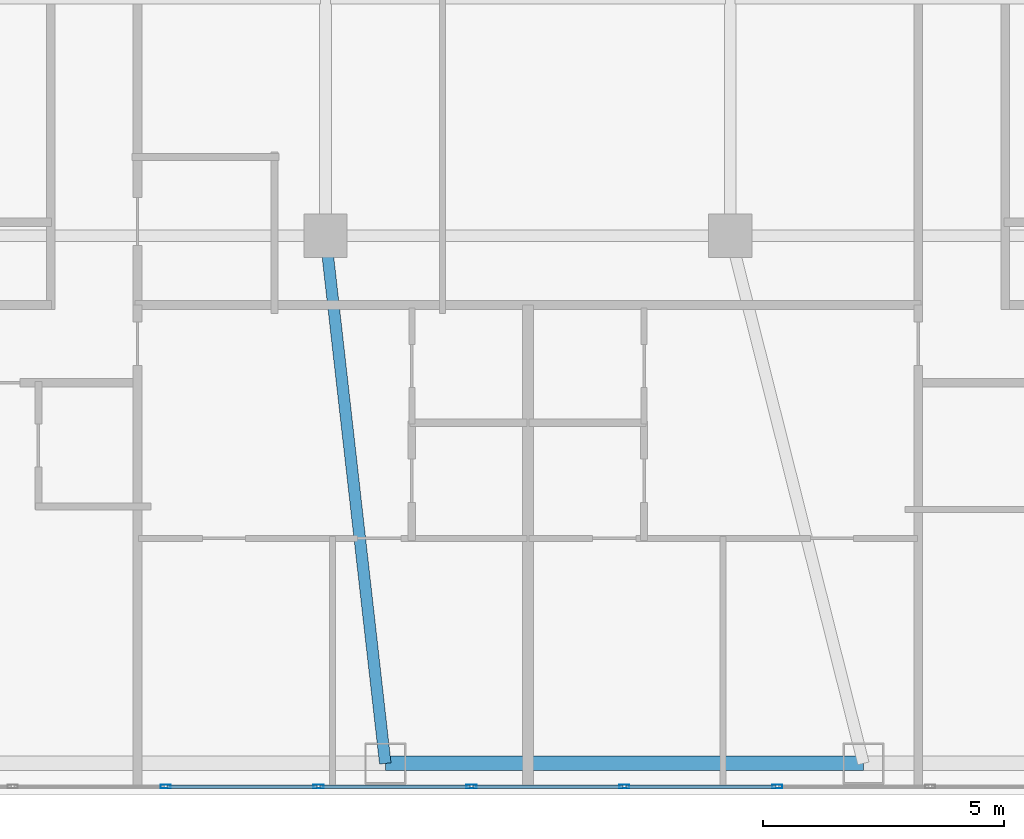
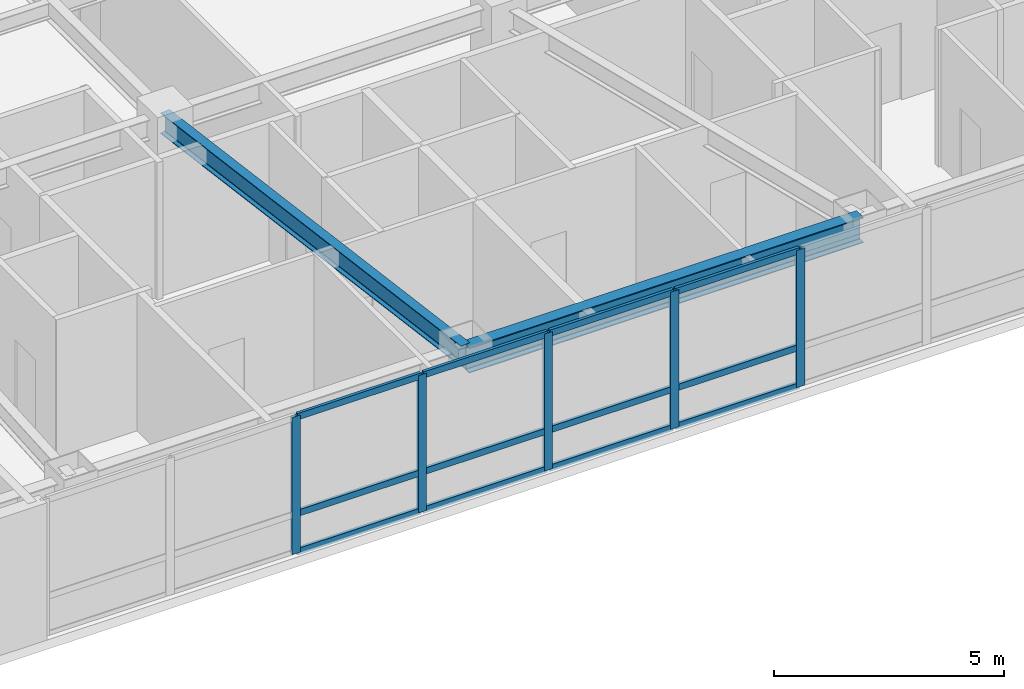
# One storey, part 4 of 17: 17 members, 2 beams, 1 element without a shape of its own.
"""IFC4 building model written with IfcOpenShell, lengths in metres."""

from ifc_helpers import new_model, si_unit, direction, frame, origin, origin_2d, place, context, subcontext, project, spatial, hollow_rectangle, i_section, extrude, material, layer, layer_set, material_profile, profile_set, type_object, element, aggregate, save


model = new_model("IFC4")

# Units and contexts
model_context = context("Model", 3, precision=1e-05, world=origin(), true_north=direction((0.0, 1.0)))
body_context = subcontext(model_context, "Body", "Model", "MODEL_VIEW")
ifc_project = project(units=[si_unit("LENGTHUNIT", "METRE"), si_unit("AREAUNIT", "SQUARE_METRE"), si_unit("VOLUMEUNIT", "CUBIC_METRE"), si_unit("PLANEANGLEUNIT", "RADIAN"), si_unit("MASSUNIT", "GRAM", prefix="KILO")], contexts=[model_context])

# Site, building, storey
site_placement = place(None, origin())
site = spatial("IfcSite", under=ifc_project, at=site_placement, CompositionType="ELEMENT")
building_placement = place(site_placement, origin())
building = spatial("IfcBuilding", under=site, at=building_placement, Name="Voryun Gate Residences", CompositionType="ELEMENT")
storey_placement = place(building_placement, frame((0.0, 0.0, 204.10009765625)))
storey = spatial("IfcBuildingStorey", under=building, at=storey_placement, Name="L50", CompositionType="ELEMENT", Elevation=204.10009765625)

# Beams
ifc_material_1 = material(Name="Steel SM355", Category="steel")
ifc_material_profile_1 = material_profile(ifc_material_1, i_section(OverallWidth=0.300048828125, OverallDepth=0.679931640625, WebThickness=0.013916015625, FlangeThickness=0.02490234375, FilletRadius=0.01806640625, at=origin_2d()), Name="H-680x300x14x25")
ifc_profile_set_1 = profile_set([ifc_material_profile_1], Name="Steel SM355")
beam_type_1 = type_object("IfcBeamType", Name="BM_EXO_SPANDREL_M", PredefinedType="SPANDREL", material=ifc_profile_set_1)
beam_1_placement = place(storey_placement, frame((-2.9599609375, -18.35009765625, 3.309814453125), z_axis=(1.0, 0.0, 0.0), x_axis=(0.0, 1.0, 0.0)))
element("IfcBeam", 1, at=beam_1_placement, inside=storey, type_object=beam_type_1, Name="BM-L50-SPAND-03", PredefinedType="SPANDREL", context=body_context, shape_type="SweptSolid", body=[
    extrude(i_section(OverallWidth=0.300048828125, OverallDepth=0.679931640625, WebThickness=0.013916015625, FlangeThickness=0.02490234375, FilletRadius=0.01806640625, at=origin_2d()), origin(), (0.0, 0.0, 1.0), 9.919921875),
])
ifc_material_2 = material(Name="Steel SM355", Category="steel")
ifc_material_profile_2 = material_profile(ifc_material_2, i_section(OverallWidth=0.239990234375, OverallDepth=0.550048828125, WebThickness=0.011962890625, FlangeThickness=0.02001953125, FilletRadius=0.01806640625, at=origin_2d()), Name="H-550x240x12x20")
ifc_profile_set_2 = profile_set([ifc_material_profile_2], Name="Steel SM355")
beam_type_2 = type_object("IfcBeamType", Name="BM_GIRD_550", PredefinedType="USERDEFINED", material=ifc_profile_set_2)
beam_2_placement = place(storey_placement, frame((-4.199951171875, -7.39990234375, 3.375), z_axis=(0.112519968476, -0.993649463691, 0.0), x_axis=(0.993649463691, 0.112519968476, 0.0)))
element("IfcBeam", 2, at=beam_2_placement, inside=storey, type_object=beam_type_2, Name="BM-L50-RAD-S3", ObjectType="GIRDER", PredefinedType="USERDEFINED", context=body_context, shape_type="SweptSolid", body=[
    extrude(i_section(OverallWidth=0.239990234375, OverallDepth=0.550048828125, WebThickness=0.011962890625, FlangeThickness=0.02001953125, FilletRadius=0.01806640625, at=origin_2d()), origin(), (0.0, 0.0, 1.0), 11.020263671875),
])

# Curtain wall, members
ifc_material_3 = material(Name="Anodised aluminium", Category="aluminium")
ifc_layer = layer(ifc_material_3, 0.2099609375, Name="CW_SYS_SKYGARDEN_DARK_GLASS")
ifc_layer_set = layer_set([ifc_layer], Name="Anodised aluminium")
curtain_wall_type = type_object("IfcCurtainWallType", Name="CW_SYS_SKYGARDEN_DARK_GLASS", PredefinedType="NOTDEFINED", material=ifc_layer_set)
curtain_wall_placement = place(storey_placement, origin())
curtain_wall = element("IfcCurtainWall", 3, at=curtain_wall_placement, inside=storey, type_object=curtain_wall_type, Name="Curtain wall CW5-L50-SG-01", PredefinedType="NOTDEFINED")
ifc_material_4 = material(Name="Anodised aluminium", Category="aluminium")
ifc_material_profile_3 = material_profile(ifc_material_4, hollow_rectangle(XDim=0.074951171875, YDim=0.2099609375, WallThickness=0.0048828125, at=origin_2d()), Name="ALU-MULL-210x75x5")
ifc_profile_set_3 = profile_set([ifc_material_profile_3], Name="Anodised aluminium")
member_type_1 = type_object("IfcMemberType", Name="CW_MULL_SKY", PredefinedType="MULLION", material=ifc_profile_set_3)
member_1_placement = place(storey_placement, frame((5.17236328125, -18.830078125, 0.0), z_axis=(0.0, 0.0, 1.0), x_axis=(0.0, -1.0, 0.0)))
member_1 = element("IfcMember", 4, at=member_1_placement, type_object=member_type_1, Name="CW5 mullion 5", PredefinedType="MULLION", context=body_context, shape_type="SweptSolid", body=[
    extrude(hollow_rectangle(XDim=0.074951171875, YDim=0.2099609375, WallThickness=0.0048828125, at=origin_2d()), origin(), (0.0, 0.0, 1.0), 3.64990234375),
])
member_2_placement = place(storey_placement, frame((2.0, -18.830078125, 0.0), z_axis=(0.0, 0.0, 1.0), x_axis=(0.0, -1.0, 0.0)))
member_2 = element("IfcMember", 5, at=member_2_placement, type_object=member_type_1, Name="CW5 mullion 6", PredefinedType="MULLION", context=body_context, shape_type="SweptSolid", body=[
    extrude(hollow_rectangle(XDim=0.074951171875, YDim=0.2099609375, WallThickness=0.0048828125, at=origin_2d()), origin(), (0.0, 0.0, 1.0), 3.64990234375),
])
member_3_placement = place(storey_placement, frame((-1.17236328125, -18.830078125, 0.0), z_axis=(0.0, 0.0, 1.0), x_axis=(0.0, -1.0, 0.0)))
member_3 = element("IfcMember", 6, at=member_3_placement, type_object=member_type_1, Name="CW5 mullion 7", PredefinedType="MULLION", context=body_context, shape_type="SweptSolid", body=[
    extrude(hollow_rectangle(XDim=0.074951171875, YDim=0.2099609375, WallThickness=0.0048828125, at=origin_2d()), origin(), (0.0, 0.0, 1.0), 3.64990234375),
])
member_4_placement = place(storey_placement, frame((-4.344482421875, -18.830078125, 0.0), z_axis=(0.0, 0.0, 1.0), x_axis=(0.0, -1.0, 0.0)))
member_4 = element("IfcMember", 7, at=member_4_placement, type_object=member_type_1, Name="CW5 mullion 8", PredefinedType="MULLION", context=body_context, shape_type="SweptSolid", body=[
    extrude(hollow_rectangle(XDim=0.074951171875, YDim=0.2099609375, WallThickness=0.0048828125, at=origin_2d()), origin(), (0.0, 0.0, 1.0), 3.64990234375),
])
member_5_placement = place(storey_placement, frame((-7.516845703125, -18.830078125, 0.0), z_axis=(0.0, 0.0, 1.0), x_axis=(0.0, -1.0, 0.0)))
member_5 = element("IfcMember", 8, at=member_5_placement, type_object=member_type_1, Name="CW5 mullion 9", PredefinedType="MULLION", context=body_context, shape_type="SweptSolid", body=[
    extrude(hollow_rectangle(XDim=0.074951171875, YDim=0.2099609375, WallThickness=0.0048828125, at=origin_2d()), origin(), (0.0, 0.0, 1.0), 3.64990234375),
])
ifc_material_5 = material(Name="Anodised aluminium", Category="aluminium")
ifc_material_profile_4 = material_profile(ifc_material_5, hollow_rectangle(XDim=0.074951171875, YDim=0.169921875, WallThickness=0.0048828125, at=origin_2d()), Name="ALU-TRAN-170x75x5")
ifc_profile_set_4 = profile_set([ifc_material_profile_4], Name="Anodised aluminium")
member_type_2 = type_object("IfcMemberType", Name="CW_TRAN_SKY", PredefinedType="USERDEFINED", material=ifc_profile_set_4)
member_6_placement = place(storey_placement, frame((5.142333984375, -18.830078125, 0.02978515625), z_axis=(-1.0, 0.0, 0.0), x_axis=(0.0, -1.0, 0.0)))
member_6 = element("IfcMember", 9, at=member_6_placement, type_object=member_type_2, Name="CW5 transom 5.1", ObjectType="TRANSOM", PredefinedType="USERDEFINED", context=body_context, shape_type="SweptSolid", body=[
    extrude(hollow_rectangle(XDim=0.074951171875, YDim=0.169921875, WallThickness=0.0048828125, at=origin_2d()), origin(), (0.0, 0.0, 1.0), 3.1123046875),
])
member_7_placement = place(storey_placement, frame((5.142333984375, -18.830078125, 1.0498046875), z_axis=(-1.0, 0.0, 0.0), x_axis=(0.0, -1.0, 0.0)))
member_7 = element("IfcMember", 10, at=member_7_placement, type_object=member_type_2, Name="CW5 transom 5.2", ObjectType="TRANSOM", PredefinedType="USERDEFINED", context=body_context, shape_type="SweptSolid", body=[
    extrude(hollow_rectangle(XDim=0.074951171875, YDim=0.169921875, WallThickness=0.0048828125, at=origin_2d()), origin(), (0.0, 0.0, 1.0), 3.1123046875),
])
member_8_placement = place(storey_placement, frame((5.142333984375, -18.830078125, 3.619873046875), z_axis=(-1.0, 0.0, 0.0), x_axis=(0.0, -1.0, 0.0)))
member_8 = element("IfcMember", 11, at=member_8_placement, type_object=member_type_2, Name="CW5 transom 5.3", ObjectType="TRANSOM", PredefinedType="USERDEFINED", context=body_context, shape_type="SweptSolid", body=[
    extrude(hollow_rectangle(XDim=0.074951171875, YDim=0.169921875, WallThickness=0.0048828125, at=origin_2d()), origin(), (0.0, 0.0, 1.0), 3.1123046875),
])
member_9_placement = place(storey_placement, frame((1.969970703125, -18.830078125, 0.02978515625), z_axis=(-1.0, 0.0, 0.0), x_axis=(0.0, -1.0, 0.0)))
member_9 = element("IfcMember", 12, at=member_9_placement, type_object=member_type_2, Name="CW5 transom 6.1", ObjectType="TRANSOM", PredefinedType="USERDEFINED", context=body_context, shape_type="SweptSolid", body=[
    extrude(hollow_rectangle(XDim=0.074951171875, YDim=0.169921875, WallThickness=0.0048828125, at=origin_2d()), origin(), (0.0, 0.0, 1.0), 3.1123046875),
])
member_10_placement = place(storey_placement, frame((1.969970703125, -18.830078125, 1.0498046875), z_axis=(-1.0, 0.0, 0.0), x_axis=(0.0, -1.0, 0.0)))
member_10 = element("IfcMember", 13, at=member_10_placement, type_object=member_type_2, Name="CW5 transom 6.2", ObjectType="TRANSOM", PredefinedType="USERDEFINED", context=body_context, shape_type="SweptSolid", body=[
    extrude(hollow_rectangle(XDim=0.074951171875, YDim=0.169921875, WallThickness=0.0048828125, at=origin_2d()), origin(), (0.0, 0.0, 1.0), 3.1123046875),
])
member_11_placement = place(storey_placement, frame((1.969970703125, -18.830078125, 3.619873046875), z_axis=(-1.0, 0.0, 0.0), x_axis=(0.0, -1.0, 0.0)))
member_11 = element("IfcMember", 14, at=member_11_placement, type_object=member_type_2, Name="CW5 transom 6.3", ObjectType="TRANSOM", PredefinedType="USERDEFINED", context=body_context, shape_type="SweptSolid", body=[
    extrude(hollow_rectangle(XDim=0.074951171875, YDim=0.169921875, WallThickness=0.0048828125, at=origin_2d()), origin(), (0.0, 0.0, 1.0), 3.1123046875),
])
member_12_placement = place(storey_placement, frame((-1.2021484375, -18.830078125, 0.02978515625), z_axis=(-1.0, 0.0, 0.0), x_axis=(0.0, -1.0, 0.0)))
member_12 = element("IfcMember", 15, at=member_12_placement, type_object=member_type_2, Name="CW5 transom 7.1", ObjectType="TRANSOM", PredefinedType="USERDEFINED", context=body_context, shape_type="SweptSolid", body=[
    extrude(hollow_rectangle(XDim=0.074951171875, YDim=0.169921875, WallThickness=0.0048828125, at=origin_2d()), origin(), (0.0, 0.0, 1.0), 3.1123046875),
])
member_13_placement = place(storey_placement, frame((-1.2021484375, -18.830078125, 1.0498046875), z_axis=(-1.0, 0.0, 0.0), x_axis=(0.0, -1.0, 0.0)))
member_13 = element("IfcMember", 16, at=member_13_placement, type_object=member_type_2, Name="CW5 transom 7.2", ObjectType="TRANSOM", PredefinedType="USERDEFINED", context=body_context, shape_type="SweptSolid", body=[
    extrude(hollow_rectangle(XDim=0.074951171875, YDim=0.169921875, WallThickness=0.0048828125, at=origin_2d()), origin(), (0.0, 0.0, 1.0), 3.1123046875),
])
member_14_placement = place(storey_placement, frame((-1.2021484375, -18.830078125, 3.619873046875), z_axis=(-1.0, 0.0, 0.0), x_axis=(0.0, -1.0, 0.0)))
member_14 = element("IfcMember", 17, at=member_14_placement, type_object=member_type_2, Name="CW5 transom 7.3", ObjectType="TRANSOM", PredefinedType="USERDEFINED", context=body_context, shape_type="SweptSolid", body=[
    extrude(hollow_rectangle(XDim=0.074951171875, YDim=0.169921875, WallThickness=0.0048828125, at=origin_2d()), origin(), (0.0, 0.0, 1.0), 3.1123046875),
])
member_15_placement = place(storey_placement, frame((-4.37451171875, -18.830078125, 0.02978515625), z_axis=(-1.0, 0.0, 0.0), x_axis=(0.0, -1.0, 0.0)))
member_15 = element("IfcMember", 18, at=member_15_placement, type_object=member_type_2, Name="CW5 transom 8.1", ObjectType="TRANSOM", PredefinedType="USERDEFINED", context=body_context, shape_type="SweptSolid", body=[
    extrude(hollow_rectangle(XDim=0.074951171875, YDim=0.169921875, WallThickness=0.0048828125, at=origin_2d()), origin(), (0.0, 0.0, 1.0), 3.1123046875),
])
member_16_placement = place(storey_placement, frame((-4.37451171875, -18.830078125, 1.0498046875), z_axis=(-1.0, 0.0, 0.0), x_axis=(0.0, -1.0, 0.0)))
member_16 = element("IfcMember", 19, at=member_16_placement, type_object=member_type_2, Name="CW5 transom 8.2", ObjectType="TRANSOM", PredefinedType="USERDEFINED", context=body_context, shape_type="SweptSolid", body=[
    extrude(hollow_rectangle(XDim=0.074951171875, YDim=0.169921875, WallThickness=0.0048828125, at=origin_2d()), origin(), (0.0, 0.0, 1.0), 3.1123046875),
])
member_17_placement = place(storey_placement, frame((-4.37451171875, -18.830078125, 3.619873046875), z_axis=(-1.0, 0.0, 0.0), x_axis=(0.0, -1.0, 0.0)))
member_17 = element("IfcMember", 20, at=member_17_placement, type_object=member_type_2, Name="CW5 transom 8.3", ObjectType="TRANSOM", PredefinedType="USERDEFINED", context=body_context, shape_type="SweptSolid", body=[
    extrude(hollow_rectangle(XDim=0.074951171875, YDim=0.169921875, WallThickness=0.0048828125, at=origin_2d()), origin(), (0.0, 0.0, 1.0), 3.1123046875),
])
aggregate(curtain_wall, [member_1, member_2, member_3, member_4, member_5, member_6, member_7, member_8, member_9, member_10, member_11, member_12, member_13, member_14, member_15, member_16, member_17])

save(model, "model.ifc")
